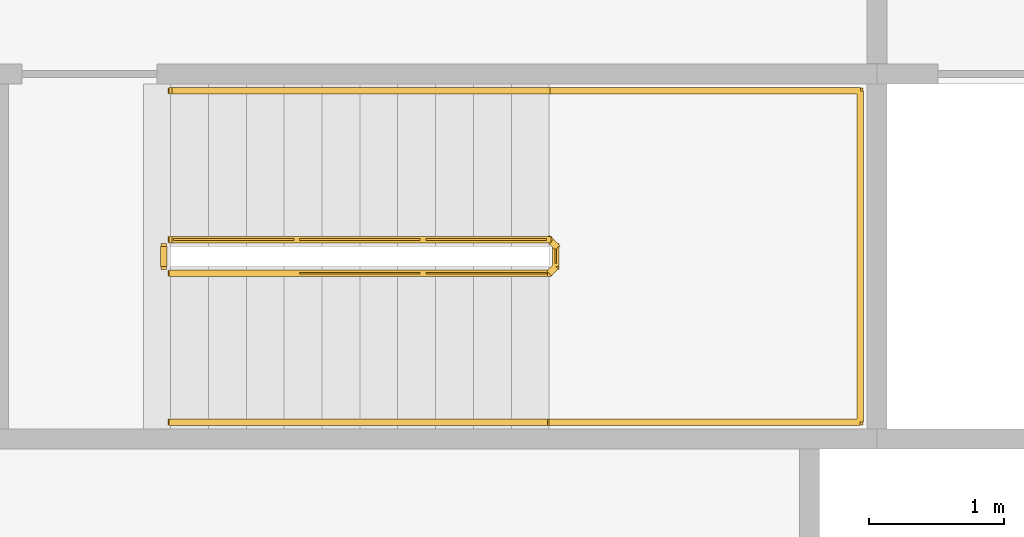
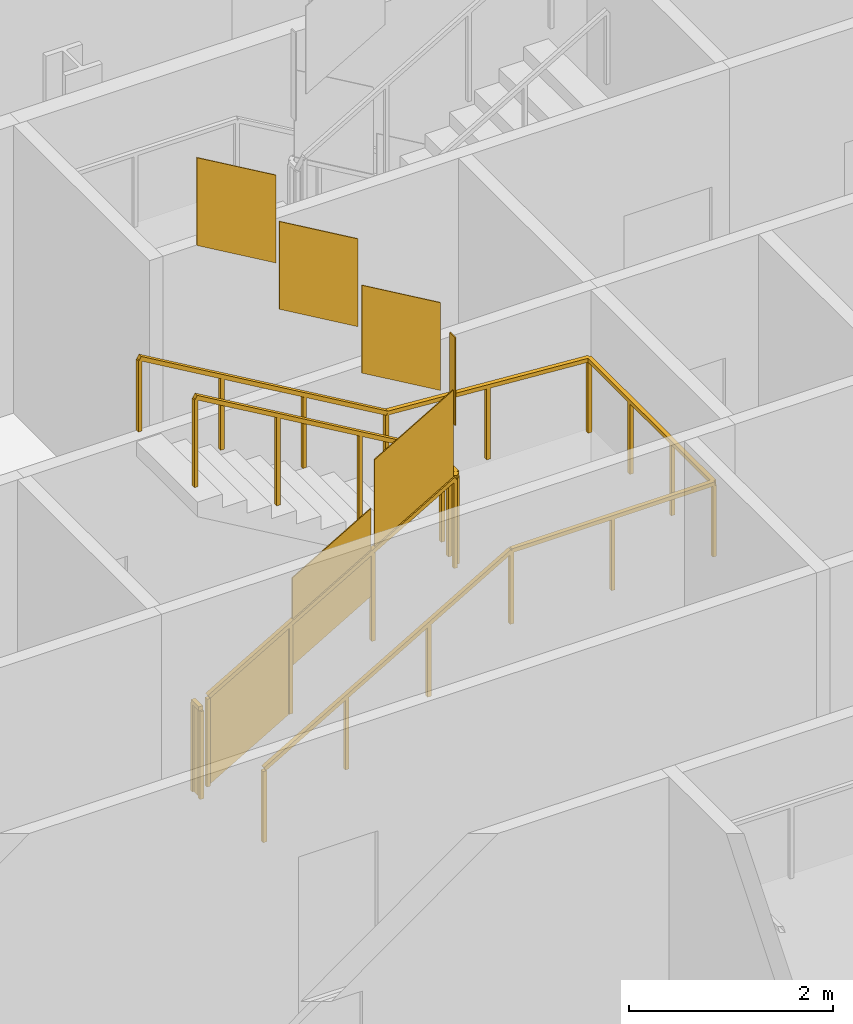
# One storey, part 17 of 22: 3 railings.
"""IFC4 building model written with IfcOpenShell, lengths in metres."""

import ifcopenshell
import ifcopenshell.guid

model = None  # the IFC model being written
_history = None  # IfcOwnerHistory: only IFC2X3 demands one
_inside = {}  # id of a spatial element -> (the spatial element, [elements in it])
_under = {}  # id of a project, library or spatial element -> (it, [spatial elements below it])
_declared = {}  # id of a project -> (the project, [libraries it declares])
_typed = {}  # id of a type object -> (the type object, [elements of that type])
_made_of = {}  # id of a material, layer set ... -> (it, [elements and type objects made of it])


def new_model(schema):
    """Start an empty IFC model of exactly this schema.

    Asked for "IFC4X3", IfcOpenShell would pick the latest addendum, in which some entities
    have other attributes; the version numbers below select the first issue.
    IFC2X3 requires an IfcOwnerHistory on every rooted entity: one is made here for all.
    """
    global model, _history
    if schema == "IFC4X3":
        model = ifcopenshell.file(schema_version=(4, 3, 0, 0))
    else:
        model = ifcopenshell.file(schema=schema)
    _inside.clear()
    _under.clear()
    _declared.clear()
    _typed.clear()
    _made_of.clear()
    _history = None
    if model.schema == "IFC2X3":
        org = make("IfcOrganization", Name="unknown")
        user = make(
            "IfcPersonAndOrganization",
            ThePerson=make("IfcPerson", FamilyName="unknown"),
            TheOrganization=org,
        )
        app = make(
            "IfcApplication",
            ApplicationDeveloper=org,
            Version="unknown",
            ApplicationFullName="unknown",
            ApplicationIdentifier="unknown",
        )
        _history = make(
            "IfcOwnerHistory",
            OwningUser=user,
            OwningApplication=app,
            ChangeAction="ADDED",
            CreationDate=0,
        )
    return model


def make(cls, **values):
    """One entity of the class cls with the attributes given. An attribute that is None is left unset."""
    return model.create_entity(
        cls, **{name: value for name, value in values.items() if value is not None}
    )


def rooted(cls, **values):
    """An entity with a GlobalId (a new one), such as an element, a storey or a relation."""
    return make(cls, GlobalId=ifcopenshell.guid.new(), OwnerHistory=_history, **values)


def si_unit(unit_type, name, prefix=None):
    """IfcSIUnit, for example si_unit("LENGTHUNIT", "METRE", prefix="MILLI")."""
    return make("IfcSIUnit", UnitType=unit_type, Prefix=prefix, Name=name)


def assignment(units):
    """IfcUnitAssignment: the units of a project."""
    return None if units is None else make("IfcUnitAssignment", Units=units)


def point(xyz):
    """IfcCartesianPoint."""
    return None if xyz is None else make("IfcCartesianPoint", Coordinates=xyz)


def direction(xyz):
    """IfcDirection."""
    return None if xyz is None else make("IfcDirection", DirectionRatios=xyz)


def frame(location, z_axis=None, x_axis=None):
    """IfcAxis2Placement3D, a coordinate frame: its origin and axes. An axis left out is left unset."""
    return make(
        "IfcAxis2Placement3D",
        Location=point(location),
        Axis=direction(z_axis),
        RefDirection=direction(x_axis),
    )


def frame_2d(location, x_axis=None):
    """IfcAxis2Placement2D, a coordinate frame in the plane: its origin and x axis."""
    return make(
        "IfcAxis2Placement2D", Location=point(location), RefDirection=direction(x_axis)
    )


def origin():
    """The frame at (0, 0, 0) with its axes left unset."""
    return frame((0.0, 0.0, 0.0))


def origin_2d():
    """The frame at (0, 0) in the plane with its x axis left unset."""
    return frame_2d((0.0, 0.0))


def place(relative_to, where):
    """IfcLocalPlacement: puts the frame where relative to a parent placement (None: the world)."""
    return make(
        "IfcLocalPlacement", PlacementRelTo=relative_to, RelativePlacement=where
    )


def context(
    kind, dimensions, precision=None, world=None, true_north=None, identifier=None
):
    """IfcGeometricRepresentationContext, for example the 3D "Model" context."""
    return make(
        "IfcGeometricRepresentationContext",
        ContextIdentifier=identifier,
        ContextType=kind,
        CoordinateSpaceDimension=dimensions,
        Precision=precision,
        WorldCoordinateSystem=world,
        TrueNorth=true_north,
    )


def subcontext(parent, identifier, kind, view, scale=None):
    """IfcGeometricRepresentationSubContext, for example "Body" below "Model"."""
    return make(
        "IfcGeometricRepresentationSubContext",
        ContextIdentifier=identifier,
        ContextType=kind,
        ParentContext=parent,
        TargetScale=scale,
        TargetView=view,
    )


def project(units=None, contexts=None):
    """IfcProject with its units and contexts."""
    return rooted(
        "IfcProject",
        Name="project",
        RepresentationContexts=contexts,
        UnitsInContext=assignment(units),
    )


def spatial(cls, under=None, at=None, **own):
    """A site, building, storey or space (cls), placed at a placement, below another one or the project."""
    s = rooted(cls, ObjectPlacement=at, **own)
    if under is not None:
        _under.setdefault(under.id(), (under, []))[1].append(s)
    return s


def polyline(points):
    """IfcPolyline through the points."""
    return make("IfcPolyline", Points=[point(p) for p in points])


def profile(cls, at=None, kind="AREA", **sizes):
    """A parametric profile (cls). Its sizes go by their IFC names, for example OverallWidth=200.0."""
    return make(cls, ProfileType=kind, Position=at, **sizes)


def rectangle(**sizes):
    """IfcRectangleProfileDef."""
    return profile("IfcRectangleProfileDef", **sizes)


def outline(outer, holes=None, kind="AREA"):
    """IfcArbitraryClosedProfileDef: a profile drawn as a closed curve; with holes, ...WithVoids."""
    if holes is None:
        return make("IfcArbitraryClosedProfileDef", ProfileType=kind, OuterCurve=outer)
    return make(
        "IfcArbitraryProfileDefWithVoids",
        ProfileType=kind,
        OuterCurve=outer,
        InnerCurves=holes,
    )


def extrude(swept, where, along, depth):
    """IfcExtrudedAreaSolid: the profile swept, set in the frame where, extruded along a direction by depth."""
    return make(
        "IfcExtrudedAreaSolid",
        SweptArea=swept,
        Position=where,
        ExtrudedDirection=direction(along),
        Depth=depth,
    )


def shape(context_of_items, identifier, shape_type, items):
    """IfcShapeRepresentation: the items that make up one representation, for example the "Body"."""
    return make(
        "IfcShapeRepresentation",
        ContextOfItems=context_of_items,
        RepresentationIdentifier=identifier,
        RepresentationType=shape_type,
        Items=items,
    )


def material(Name=None, Category=None):
    """IfcMaterial."""
    return make("IfcMaterial", Name=Name, Category=Category)


def made_of(thing, what):
    """Note that an element or type object is made of a material, layer set ...; save() writes the relation."""
    if what is not None:
        _made_of.setdefault(what.id(), (what, []))[1].append(thing)
    return thing


def type_object(cls, material=None, **own):
    """A type object (cls), such as IfcWallType, which elements share."""
    return made_of(rooted(cls, **own), material)


def element(
    cls,
    number,
    at=None,
    inside=None,
    cuts=None,
    type_object=None,
    material=None,
    context=None,
    identifier="Body",
    shape_type=None,
    held_by="IfcProductDefinitionShape",
    body=None,
    shapes=None,
    **own,
):
    """One element of the class cls, such as IfcWall. Its Tag is "e" and its number.

    at: its placement. inside: the storey or other place that contains it. cuts: it is an
    opening in that element (IfcRelVoidsElement). A single representation is given by context,
    identifier, shape_type and body (its items); several are given by shapes. held_by: the class
    of the entity that holds the representations. save() writes the other relations.
    """
    e = rooted(cls, Tag="e%d" % number, ObjectPlacement=at, **own)
    if body is not None:
        shapes = [shape(context, identifier, shape_type, body)]
    if shapes is not None:
        e.Representation = make(held_by, Representations=shapes)
    if inside is not None:
        _inside.setdefault(inside.id(), (inside, []))[1].append(e)
    if cuts is not None:
        rooted(
            "IfcRelVoidsElement", RelatingBuildingElement=cuts, RelatedOpeningElement=e
        )
    if type_object is not None:
        _typed.setdefault(type_object.id(), (type_object, []))[1].append(e)
    return made_of(e, material)


def aggregate(whole, parts):
    """IfcRelAggregates: a whole, such as a stair, and the parts it consists of."""
    return rooted("IfcRelAggregates", RelatingObject=whole, RelatedObjects=parts)


def save(model, path):
    """Write the relations noted so far, then the file.

    IfcRelAggregates (storeys below a building ...), IfcRelContainedInSpatialStructure (elements
    in a storey), IfcRelDefinesByType, IfcRelAssociatesMaterial and IfcRelDeclares: one each for
    every whole, place, type object, material and project.
    """
    for whole, parts in _under.values():
        aggregate(whole, parts)
    for where, things in _inside.values():
        rooted(
            "IfcRelContainedInSpatialStructure",
            RelatedElements=things,
            RelatingStructure=where,
        )
    for kind, things in _typed.values():
        rooted("IfcRelDefinesByType", RelatedObjects=things, RelatingType=kind)
    for what, things in _made_of.values():
        rooted("IfcRelAssociatesMaterial", RelatedObjects=things, RelatingMaterial=what)
    for by, libraries in _declared.values():
        rooted("IfcRelDeclares", RelatingContext=by, RelatedDefinitions=libraries)
    model.write(path)


model = new_model("IFC4")

# Units and contexts
model_context = context("Model", 3, precision=1e-05, world=origin(), true_north=direction((0.0, 1.0)))
body_context = subcontext(model_context, "Body", "Model", "MODEL_VIEW")
ifc_project = project(units=[si_unit("LENGTHUNIT", "METRE"), si_unit("AREAUNIT", "SQUARE_METRE"), si_unit("VOLUMEUNIT", "CUBIC_METRE"), si_unit("PLANEANGLEUNIT", "RADIAN"), si_unit("MASSUNIT", "GRAM", prefix="KILO")], contexts=[model_context])

# Site, building, storey
site_placement = place(None, origin())
site = spatial("IfcSite", under=ifc_project, at=site_placement, CompositionType="ELEMENT")
building_placement = place(site_placement, origin())
building = spatial("IfcBuilding", under=site, at=building_placement, Name="Cairn Pilgrim Tower", CompositionType="ELEMENT")
storey_placement = place(building_placement, frame((0.0, 0.0, 175.800048828125)))
storey = spatial("IfcBuildingStorey", under=building, at=storey_placement, Name="L44", CompositionType="ELEMENT", Elevation=175.800048828125)

# Railings
ifc_material = material(Name="Painted steel", Category="steel")
railing_type_1 = type_object("IfcRailingType", Name="STAIR GUARD 1100", PredefinedType="GUARDRAIL", material=ifc_material)
railing_1_placement = place(storey_placement, frame((4.47509765625, 3.425048828125, 0.16357421875)))
element("IfcRailing", 1, at=railing_1_placement, inside=storey, type_object=railing_type_1, Name="L44 ST-B stair guard 1", PredefinedType="GUARDRAIL", context=body_context, shape_type="SweptSolid", body=[
    extrude(rectangle(XDim=0.048095703125, YDim=0.048095703125, at=origin_2d()), frame((0.0, 0.0, 1.076171875), z_axis=(0.863341702679, 0.0, 0.504619762213), x_axis=(0.0, 1.0, 0.0)), (0.0, 0.0, 1.0), 3.242919921875),
    extrude(rectangle(XDim=0.048095703125, YDim=0.048095703125, at=origin_2d()), frame((2.7998046875, 0.0, 2.71240234375), z_axis=(0.707106781187, 0.707106781187, 0.0), x_axis=(-0.707106781187, 0.707106781187, 0.0)), (0.0, 0.0, 1.0), 0.07080078125),
    extrude(rectangle(XDim=0.048095703125, YDim=0.048095703125, at=origin_2d()), frame((2.849853515625, 0.050048828125, 2.71240234375), z_axis=(0.0, 1.0, 0.0), x_axis=(-1.0, 0.0, 0.0)), (0.0, 0.0, 1.0), 0.14990234375),
    extrude(rectangle(XDim=0.048095703125, YDim=0.048095703125, at=origin_2d()), frame((2.849853515625, 0.199951171875, 2.71240234375), z_axis=(-0.280808744504, 0.280808744504, 0.917765164963), x_axis=(-0.707106781187, -0.707106781187, 0.0)), (0.0, 0.0, 1.0), 0.17822265625),
    extrude(rectangle(XDim=0.048095703125, YDim=0.048095703125, at=origin_2d()), frame((2.7998046875, 0.25, 2.8759765625), z_axis=(-0.863374499697, 0.0, 0.504563646405), x_axis=(0.0, -1.0, 0.0)), (0.0, 0.0, 1.0), 3.242919921875),
    extrude(rectangle(XDim=0.0419921875, YDim=0.0419921875, at=origin_2d()), origin(), (0.0, 0.0, 1.0), 1.052001953125),
    extrude(rectangle(XDim=0.0419921875, YDim=0.0419921875, at=origin_2d()), frame((0.933349609375, 0.0, 0.54541015625)), (0.0, 0.0, 1.0), 1.052001953125),
    extrude(rectangle(XDim=0.0419921875, YDim=0.0419921875, at=origin_2d()), frame((1.866455078125, 0.0, 1.091064453125)), (0.0, 0.0, 1.0), 1.052001953125),
    extrude(rectangle(XDim=0.0419921875, YDim=0.0419921875, at=origin_2d()), frame((2.7998046875, 0.0, 1.636474609375)), (0.0, 0.0, 1.0), 1.052001953125),
    extrude(rectangle(XDim=0.0419921875, YDim=0.0419921875, at=origin_2d()), frame((2.849853515625, 0.050048828125, 1.636474609375)), (0.0, 0.0, 1.0), 1.052001953125),
    extrude(rectangle(XDim=0.0419921875, YDim=0.0419921875, at=origin_2d()), frame((2.849853515625, 0.199951171875, 1.636474609375)), (0.0, 0.0, 1.0), 1.052001953125),
    extrude(rectangle(XDim=0.0419921875, YDim=0.0419921875, at=origin_2d()), frame((2.7998046875, 0.25, 1.800048828125)), (0.0, 0.0, 1.0), 1.052001953125),
    extrude(rectangle(XDim=0.0419921875, YDim=0.0419921875, at=origin_2d()), frame((1.866455078125, 0.25, 2.345458984375)), (0.0, 0.0, 1.0), 1.052001953125),
    extrude(rectangle(XDim=0.0419921875, YDim=0.0419921875, at=origin_2d()), frame((0.933349609375, 0.25, 2.890869140625)), (0.0, 0.0, 1.0), 1.052001953125),
    extrude(rectangle(XDim=0.0419921875, YDim=0.0419921875, at=origin_2d()), frame((0.0, 0.25, 3.436279296875)), (0.0, 0.0, 1.0), 1.052001953125),
    extrude(outline(polyline([(0.02099609375, 0.01220703125), (0.912353515625, 0.533203125), (0.912353515625, 1.585205078125), (0.02099609375, 1.064208984375), (0.02099609375, 0.01220703125)])), frame((0.0, 0.005859375, 0.0), z_axis=(0.0, -1.0, 0.0), x_axis=(1.0, 0.0, 0.0)), (0.0, 0.0, 1.0), 0.011962890625),
    extrude(outline(polyline([(0.02099609375, 0.557861328125), (0.912353515625, 1.07861328125), (0.912353515625, 2.130615234375), (0.02099609375, 1.60986328125), (0.02099609375, 0.557861328125)])), frame((0.933349609375, 0.005859375, 0.54541015625), z_axis=(0.0, -1.0, 0.0), x_axis=(1.0, 0.0, 0.0)), (0.0, 0.0, 1.0), 0.011962890625),
    extrude(outline(polyline([(0.02099609375, 1.103271484375), (0.912353515625, 1.624267578125), (0.912353515625, 2.67626953125), (0.02099609375, 2.1552734375), (0.02099609375, 1.103271484375)])), frame((1.866455078125, 0.005859375, 1.091064453125), z_axis=(0.0, -1.0, 0.0), x_axis=(1.0, 0.0, 0.0)), (0.0, 0.0, 1.0), 0.011962890625),
    extrude(outline(polyline([(0.02099609375, 1.636474609375), (0.12890625, 1.636474609375), (0.12890625, 2.6884765625), (0.02099609375, 2.6884765625), (0.02099609375, 1.636474609375)])), frame((2.84375, 0.050048828125, 1.636474609375), z_axis=(1.0, 0.0, 0.0), x_axis=(0.0, 1.0, 0.0)), (0.0, 0.0, 1.0), 0.011962890625),
    extrude(outline(polyline([(0.02099609375, 1.812255859375), (0.912353515625, 2.333251953125), (0.912353515625, 3.38525390625), (0.02099609375, 2.8642578125), (0.02099609375, 1.812255859375)])), frame((2.7998046875, 0.244140625, 1.800048828125), z_axis=(0.0, 1.0, 0.0), x_axis=(-1.0, 0.0, 0.0)), (0.0, 0.0, 1.0), 0.011962890625),
    extrude(outline(polyline([(0.02099609375, 2.357666015625), (0.912353515625, 2.878662109375), (0.912353515625, 3.9306640625), (0.02099609375, 3.40966796875), (0.02099609375, 2.357666015625)])), frame((1.866455078125, 0.244140625, 2.345458984375), z_axis=(0.0, 1.0, 0.0), x_axis=(-1.0, 0.0, 0.0)), (0.0, 0.0, 1.0), 0.011962890625),
    extrude(outline(polyline([(0.02099609375, 2.903076171875), (0.912353515625, 3.424072265625), (0.912353515625, 4.47607421875), (0.02099609375, 3.955078125), (0.02099609375, 2.903076171875)])), frame((0.933349609375, 0.244140625, 2.890869140625), z_axis=(0.0, 1.0, 0.0), x_axis=(-1.0, 0.0, 0.0)), (0.0, 0.0, 1.0), 0.011962890625),
])
railing_2_placement = place(storey_placement, frame((4.425048828125, 3.47509765625, 0.0)))
element("IfcRailing", 2, at=railing_2_placement, inside=storey, type_object=railing_type_1, Name="L44 ST-B stair guard 2", PredefinedType="GUARDRAIL", context=body_context, shape_type="SweptSolid", body=[
    extrude(rectangle(XDim=0.048095703125, YDim=0.048095703125, at=origin_2d()), frame((0.0, 0.0, 1.076171875), z_axis=(0.0, 1.0, 0.0), x_axis=(-1.0, 0.0, 0.0)), (0.0, 0.0, 1.0), 0.14990234375),
    extrude(rectangle(XDim=0.0419921875, YDim=0.0419921875, at=origin_2d()), origin(), (0.0, 0.0, 1.0), 1.052001953125),
    extrude(rectangle(XDim=0.0419921875, YDim=0.0419921875, at=origin_2d()), frame((0.0, 0.14990234375, 0.0)), (0.0, 0.0, 1.0), 1.052001953125),
    extrude(outline(polyline([(0.02099609375, 0.0), (0.12890625, 0.0), (0.12890625, 1.052001953125), (0.02099609375, 1.052001953125), (0.02099609375, 0.0)])), frame((-0.005859375, 0.0, 0.0), z_axis=(1.0, 0.0, 0.0), x_axis=(0.0, 1.0, 0.0)), (0.0, 0.0, 1.0), 0.011962890625),
])
railing_type_2 = type_object("IfcRailingType", Name="STAIR HANDRAIL 900", PredefinedType="HANDRAIL", material=ifc_material)
railing_3_placement = place(storey_placement, frame((4.47509765625, 2.324951171875, 0.16357421875)))
element("IfcRailing", 3, at=railing_3_placement, inside=storey, type_object=railing_type_2, Name="L44 ST-B stair handrail 1", PredefinedType="HANDRAIL", context=body_context, shape_type="SweptSolid", body=[
    extrude(rectangle(XDim=0.048095703125, YDim=0.048095703125, at=origin_2d()), frame((0.0, 0.0, 0.8759765625), z_axis=(0.863341702679, 0.0, 0.504619762213), x_axis=(0.0, 1.0, 0.0)), (0.0, 0.0, 1.0), 3.242919921875),
    extrude(rectangle(XDim=0.048095703125, YDim=0.048095703125, at=origin_2d()), frame((2.7998046875, 0.0, 2.51220703125), z_axis=(1.0, 0.0, 0.0), x_axis=(0.0, 1.0, 0.0)), (0.0, 0.0, 1.0), 2.300048828125),
    extrude(rectangle(XDim=0.048095703125, YDim=0.048095703125, at=origin_2d()), frame((5.099853515625, 0.0, 2.51220703125), z_axis=(0.0, 1.0, 0.0), x_axis=(-1.0, 0.0, 0.0)), (0.0, 0.0, 1.0), 2.449951171875),
    extrude(rectangle(XDim=0.048095703125, YDim=0.048095703125, at=origin_2d()), frame((5.099853515625, 2.449951171875, 2.51220703125), z_axis=(-0.997480687736, 0.0, 0.070938548008), x_axis=(0.0, -1.0, 0.0)), (0.0, 0.0, 1.0), 2.305908203125),
    extrude(rectangle(XDim=0.048095703125, YDim=0.048095703125, at=origin_2d()), frame((2.7998046875, 2.449951171875, 2.67578125), z_axis=(-0.863374499697, 0.0, 0.504563646405), x_axis=(0.0, -1.0, 0.0)), (0.0, 0.0, 1.0), 3.242919921875),
    extrude(rectangle(XDim=0.0419921875, YDim=0.0419921875, at=origin_2d()), origin(), (0.0, 0.0, 1.0), 0.851806640625),
    extrude(rectangle(XDim=0.0419921875, YDim=0.0419921875, at=origin_2d()), frame((0.933349609375, 0.0, 0.54541015625)), (0.0, 0.0, 1.0), 0.851806640625),
    extrude(rectangle(XDim=0.0419921875, YDim=0.0419921875, at=origin_2d()), frame((1.866455078125, 0.0, 1.091064453125)), (0.0, 0.0, 1.0), 0.851806640625),
    extrude(rectangle(XDim=0.0419921875, YDim=0.0419921875, at=origin_2d()), frame((2.7998046875, 0.0, 1.636474609375)), (0.0, 0.0, 1.0), 0.851806640625),
    extrude(rectangle(XDim=0.0419921875, YDim=0.0419921875, at=origin_2d()), frame((3.94970703125, 0.0, 1.636474609375)), (0.0, 0.0, 1.0), 0.851806640625),
    extrude(rectangle(XDim=0.0419921875, YDim=0.0419921875, at=origin_2d()), frame((5.099853515625, 0.0, 1.636474609375)), (0.0, 0.0, 1.0), 0.851806640625),
    extrude(rectangle(XDim=0.0419921875, YDim=0.0419921875, at=origin_2d()), frame((5.099853515625, 0.816650390625, 1.636474609375)), (0.0, 0.0, 1.0), 0.851806640625),
    extrude(rectangle(XDim=0.0419921875, YDim=0.0419921875, at=origin_2d()), frame((5.099853515625, 1.63330078125, 1.636474609375)), (0.0, 0.0, 1.0), 0.851806640625),
    extrude(rectangle(XDim=0.0419921875, YDim=0.0419921875, at=origin_2d()), frame((5.099853515625, 2.449951171875, 1.636474609375)), (0.0, 0.0, 1.0), 0.851806640625),
    extrude(rectangle(XDim=0.0419921875, YDim=0.0419921875, at=origin_2d()), frame((3.94970703125, 2.449951171875, 1.71826171875)), (0.0, 0.0, 1.0), 0.851806640625),
    extrude(rectangle(XDim=0.0419921875, YDim=0.0419921875, at=origin_2d()), frame((2.7998046875, 2.449951171875, 1.800048828125)), (0.0, 0.0, 1.0), 0.851806640625),
    extrude(rectangle(XDim=0.0419921875, YDim=0.0419921875, at=origin_2d()), frame((1.866455078125, 2.449951171875, 2.345458984375)), (0.0, 0.0, 1.0), 0.851806640625),
    extrude(rectangle(XDim=0.0419921875, YDim=0.0419921875, at=origin_2d()), frame((0.933349609375, 2.449951171875, 2.890869140625)), (0.0, 0.0, 1.0), 0.851806640625),
    extrude(rectangle(XDim=0.0419921875, YDim=0.0419921875, at=origin_2d()), frame((0.0, 2.449951171875, 3.436279296875)), (0.0, 0.0, 1.0), 0.851806640625),
])

save(model, "model.ifc")
